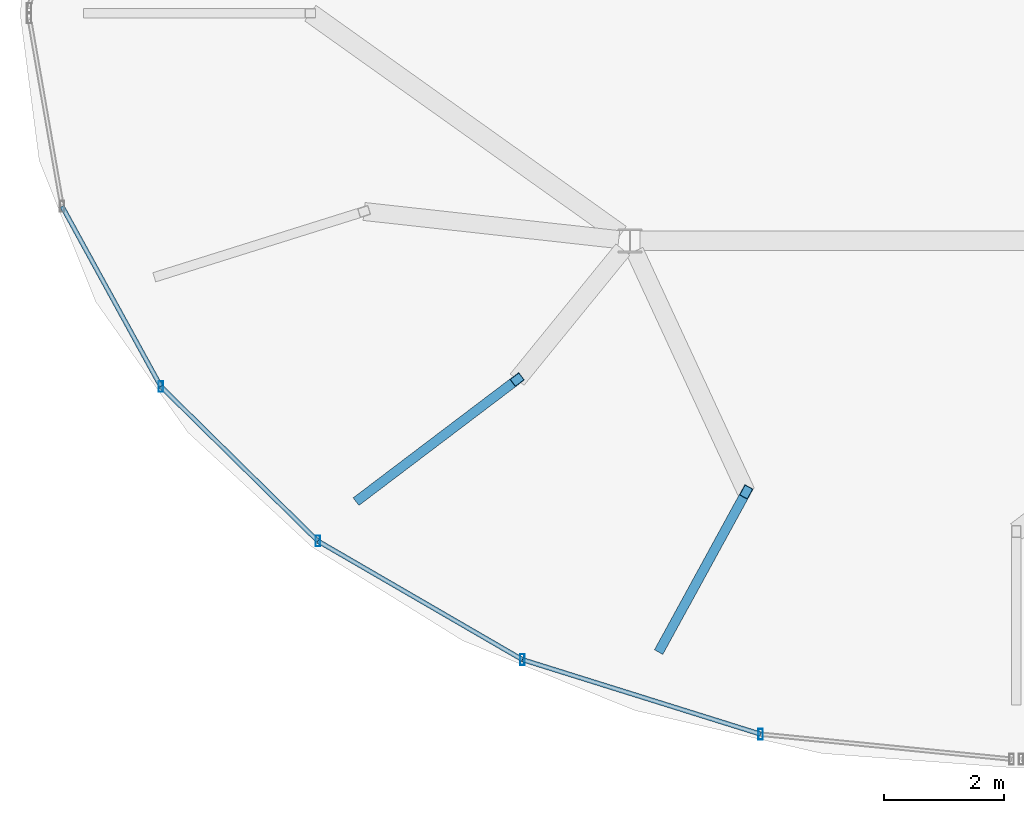
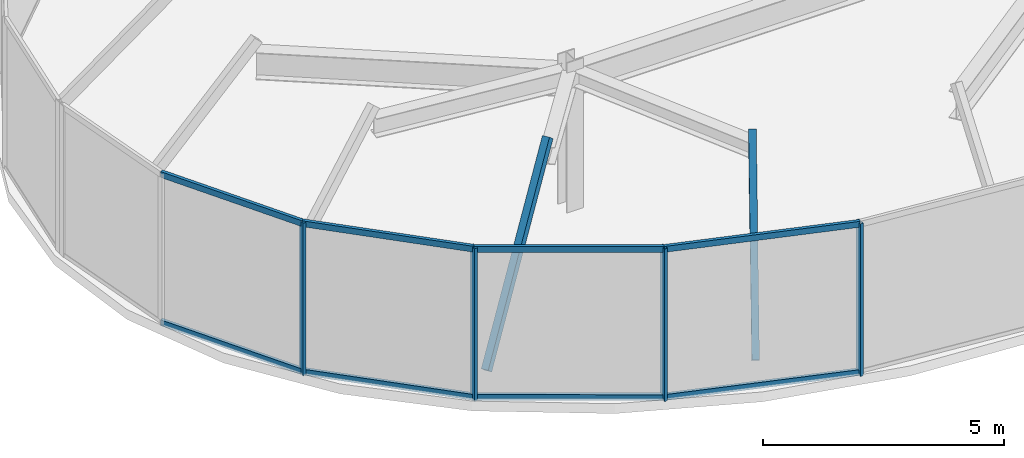
# One storey, part 2 of 13: 14 members, 1 element without a shape of its own.
"""IFC4 building model written with IfcOpenShell, lengths in metres."""

from ifc_helpers import new_model, si_unit, direction, frame, origin, origin_2d, place, context, subcontext, project, spatial, hollow_rectangle, extrude, material, material_profile, profile_set, type_object, element, aggregate, save


model = new_model("IFC4")

# Units and contexts
model_context = context("Model", 3, precision=1e-05, world=origin(), true_north=direction((0.0, 1.0)))
body_context = subcontext(model_context, "Body", "Model", "MODEL_VIEW")
ifc_project = project(units=[si_unit("LENGTHUNIT", "METRE"), si_unit("AREAUNIT", "SQUARE_METRE"), si_unit("VOLUMEUNIT", "CUBIC_METRE"), si_unit("PLANEANGLEUNIT", "RADIAN"), si_unit("MASSUNIT", "GRAM", prefix="KILO")], contexts=[model_context])

# Site, building, storey
site_placement = place(None, origin())
site = spatial("IfcSite", under=ifc_project, at=site_placement, CompositionType="ELEMENT")
building_placement = place(site_placement, origin())
building = spatial("IfcBuilding", under=site, at=building_placement, Name="Vorneva Point Tower", CompositionType="ELEMENT")
storey_placement = place(building_placement, frame((0.0, 0.0, 303.0)))
storey = spatial("IfcBuildingStorey", under=building, at=storey_placement, Name="C03", CompositionType="ELEMENT", Elevation=303.0)

# Curtain wall, members
ifc_material_1 = material(Name="Pale anodised aluminium", Category="aluminium")
curtain_wall_type = type_object("IfcCurtainWallType", Name="CW-CRN-SYS", PredefinedType="NOTDEFINED", material=ifc_material_1)
curtain_wall_placement = place(storey_placement, origin())
curtain_wall = element("IfcCurtainWall", 1, at=curtain_wall_placement, inside=storey, type_object=curtain_wall_type, Name="C03 Unitised Curtain Wall CW-C03-Q3", PredefinedType="NOTDEFINED")
ifc_material_profile_1 = material_profile(ifc_material_1, hollow_rectangle(XDim=0.074951171875, YDim=0.179931640625, WallThickness=0.00390625, at=origin_2d()), Name="AL-MUL 180x75x4")
ifc_profile_set_1 = profile_set([ifc_material_profile_1], Name="Pale anodised aluminium")
member_type_1 = type_object("IfcMemberType", Name="CW-MUL-180", PredefinedType="MULLION", material=ifc_profile_set_1)
member_1_placement = place(storey_placement, frame((23.717529296875, 19.77001953125, -0.0400390625), z_axis=(0.0, 0.0, 1.0), x_axis=(1.0, 0.0, 0.0)))
member_1 = element("IfcMember", 2, at=member_1_placement, type_object=member_type_1, Name="CW-C03-Q3 Mullion 03", PredefinedType="MULLION", context=body_context, shape_type="SweptSolid", body=[
    extrude(hollow_rectangle(XDim=0.074951171875, YDim=0.179931640625, WallThickness=0.00390625, at=origin_2d()), origin(), (0.0, 0.0, 1.0), 3.8701171875),
])
member_2_placement = place(storey_placement, frame((26.33837890625, 17.189453125, -0.0400390625), z_axis=(0.0, 0.0, 1.0), x_axis=(1.0, 0.0, 0.0)))
member_2 = element("IfcMember", 3, at=member_2_placement, type_object=member_type_1, Name="CW-C03-Q3 Mullion 04", PredefinedType="MULLION", context=body_context, shape_type="SweptSolid", body=[
    extrude(hollow_rectangle(XDim=0.074951171875, YDim=0.179931640625, WallThickness=0.00390625, at=origin_2d()), origin(), (0.0, 0.0, 1.0), 3.8701171875),
])
member_3_placement = place(storey_placement, frame((29.75390625, 15.209228515625, -0.0400390625), z_axis=(0.0, 0.0, 1.0), x_axis=(1.0, 0.0, 0.0)))
member_3 = element("IfcMember", 4, at=member_3_placement, type_object=member_type_1, Name="CW-C03-Q3 Mullion 05", PredefinedType="MULLION", context=body_context, shape_type="SweptSolid", body=[
    extrude(hollow_rectangle(XDim=0.074951171875, YDim=0.179931640625, WallThickness=0.00390625, at=origin_2d()), origin(), (0.0, 0.0, 1.0), 3.8701171875),
])
member_4_placement = place(storey_placement, frame((33.731689453125, 13.964599609375, -0.0400390625), z_axis=(0.0, 0.0, 1.0), x_axis=(1.0, 0.0, 0.0)))
member_4 = element("IfcMember", 5, at=member_4_placement, type_object=member_type_1, Name="CW-C03-Q3 Mullion 06", PredefinedType="MULLION", context=body_context, shape_type="SweptSolid", body=[
    extrude(hollow_rectangle(XDim=0.074951171875, YDim=0.179931640625, WallThickness=0.00390625, at=origin_2d()), origin(), (0.0, 0.0, 1.0), 3.8701171875),
])
ifc_material_profile_2 = material_profile(ifc_material_1, hollow_rectangle(XDim=0.074951171875, YDim=0.14990234375, WallThickness=0.00390625, at=origin_2d()), Name="AL-TRN 150x75x4")
ifc_profile_set_2 = profile_set([ifc_material_profile_2], Name="Pale anodised aluminium")
member_type_2 = type_object("IfcMemberType", Name="CW-TRN-150", PredefinedType="USERDEFINED", material=ifc_profile_set_2)
member_5_placement = place(storey_placement, frame((22.070068359375, 22.775146484375, 0.02001953125), z_axis=(0.480717770532, -0.876875376034, 0.0), x_axis=(0.876875376034, 0.480717770532, 0.0)))
member_5 = element("IfcMember", 6, at=member_5_placement, type_object=member_type_2, Name="CW-C03-Q3 Transom 02.1", ObjectType="TRANSOM", PredefinedType="USERDEFINED", context=body_context, shape_type="SweptSolid", body=[
    extrude(hollow_rectangle(XDim=0.074951171875, YDim=0.14990234375, WallThickness=0.00390625, at=origin_2d()), origin(), (0.0, 0.0, 1.0), 3.427001953125),
])
member_6_placement = place(storey_placement, frame((22.070068359375, 22.775146484375, 3.780029296875), z_axis=(0.480717770532, -0.876875376034, 0.0), x_axis=(0.876875376034, 0.480717770532, 0.0)))
member_6 = element("IfcMember", 7, at=member_6_placement, type_object=member_type_2, Name="CW-C03-Q3 Transom 02.2", ObjectType="TRANSOM", PredefinedType="USERDEFINED", context=body_context, shape_type="SweptSolid", body=[
    extrude(hollow_rectangle(XDim=0.074951171875, YDim=0.14990234375, WallThickness=0.00390625, at=origin_2d()), origin(), (0.0, 0.0, 1.0), 3.427001953125),
])
member_7_placement = place(storey_placement, frame((23.717529296875, 19.77001953125, 0.02001953125), z_axis=(0.712561714087, -0.70160943809, 0.0), x_axis=(0.70160943809, 0.712561714087, 0.0)))
member_7 = element("IfcMember", 8, at=member_7_placement, type_object=member_type_2, Name="CW-C03-Q3 Transom 03.1", ObjectType="TRANSOM", PredefinedType="USERDEFINED", context=body_context, shape_type="SweptSolid", body=[
    extrude(hollow_rectangle(XDim=0.074951171875, YDim=0.14990234375, WallThickness=0.00390625, at=origin_2d()), origin(), (0.0, 0.0, 1.0), 3.677978515625),
])
member_8_placement = place(storey_placement, frame((23.717529296875, 19.77001953125, 3.780029296875), z_axis=(0.712561714087, -0.70160943809, 0.0), x_axis=(0.70160943809, 0.712561714087, 0.0)))
member_8 = element("IfcMember", 9, at=member_8_placement, type_object=member_type_2, Name="CW-C03-Q3 Transom 03.2", ObjectType="TRANSOM", PredefinedType="USERDEFINED", context=body_context, shape_type="SweptSolid", body=[
    extrude(hollow_rectangle(XDim=0.074951171875, YDim=0.14990234375, WallThickness=0.00390625, at=origin_2d()), origin(), (0.0, 0.0, 1.0), 3.677978515625),
])
member_9_placement = place(storey_placement, frame((26.33837890625, 17.189453125, 0.02001953125), z_axis=(0.8651170579, -0.501570011196, 0.0), x_axis=(0.501570011196, 0.8651170579, 0.0)))
member_9 = element("IfcMember", 10, at=member_9_placement, type_object=member_type_2, Name="CW-C03-Q3 Transom 04.1", ObjectType="TRANSOM", PredefinedType="USERDEFINED", context=body_context, shape_type="SweptSolid", body=[
    extrude(hollow_rectangle(XDim=0.074951171875, YDim=0.14990234375, WallThickness=0.00390625, at=origin_2d()), origin(), (0.0, 0.0, 1.0), 3.947998046875),
])
member_10_placement = place(storey_placement, frame((26.33837890625, 17.189453125, 3.780029296875), z_axis=(0.8651170579, -0.501570011196, 0.0), x_axis=(0.501570011196, 0.8651170579, 0.0)))
member_10 = element("IfcMember", 11, at=member_10_placement, type_object=member_type_2, Name="CW-C03-Q3 Transom 04.2", ObjectType="TRANSOM", PredefinedType="USERDEFINED", context=body_context, shape_type="SweptSolid", body=[
    extrude(hollow_rectangle(XDim=0.074951171875, YDim=0.14990234375, WallThickness=0.00390625, at=origin_2d()), origin(), (0.0, 0.0, 1.0), 3.947998046875),
])
member_11_placement = place(storey_placement, frame((29.75390625, 15.209228515625, 0.02001953125), z_axis=(0.954372562321, -0.298618506273, 0.0), x_axis=(0.298618506273, 0.954372562321, 0.0)))
member_11 = element("IfcMember", 12, at=member_11_placement, type_object=member_type_2, Name="CW-C03-Q3 Transom 05.1", ObjectType="TRANSOM", PredefinedType="USERDEFINED", context=body_context, shape_type="SweptSolid", body=[
    extrude(hollow_rectangle(XDim=0.074951171875, YDim=0.14990234375, WallThickness=0.00390625, at=origin_2d()), origin(), (0.0, 0.0, 1.0), 4.16796875),
])
member_12_placement = place(storey_placement, frame((29.75390625, 15.209228515625, 3.780029296875), z_axis=(0.954372562321, -0.298618506273, 0.0), x_axis=(0.298618506273, 0.954372562321, 0.0)))
member_12 = element("IfcMember", 13, at=member_12_placement, type_object=member_type_2, Name="CW-C03-Q3 Transom 05.2", ObjectType="TRANSOM", PredefinedType="USERDEFINED", context=body_context, shape_type="SweptSolid", body=[
    extrude(hollow_rectangle(XDim=0.074951171875, YDim=0.14990234375, WallThickness=0.00390625, at=origin_2d()), origin(), (0.0, 0.0, 1.0), 4.16796875),
])
aggregate(curtain_wall, [member_1, member_2, member_3, member_4, member_5, member_6, member_7, member_8, member_9, member_10, member_11, member_12])

# Members
ifc_material_2 = material(Name="Steel S355", Category="steel")
ifc_material_profile_3 = material_profile(ifc_material_2, hollow_rectangle(XDim=0.159912109375, YDim=0.25, WallThickness=0.010009765625, at=origin_2d()), Name="PP 250x160x10")
ifc_profile_set_3 = profile_set([ifc_material_profile_3], Name="Steel S355")
member_type_3 = type_object("IfcMemberType", Name="MBR-CRN-PP250", PredefinedType="CHORD", material=ifc_profile_set_3)
member_13_placement = place(storey_placement, frame((27.052490234375, 17.903564453125, 0.0), z_axis=(0.52071755645, 0.39449036738, 0.757119922106), x_axis=(-0.603864855873, 0.797086717893, 0.0)))
element("IfcMember", 14, at=member_13_placement, inside=storey, type_object=member_type_3, Name="Crown Tapered Frame Rib C03-11", PredefinedType="CHORD", context=body_context, shape_type="SweptSolid", body=[
    extrude(hollow_rectangle(XDim=0.159912109375, YDim=0.25, WallThickness=0.010009765625, at=origin_2d()), origin(), (0.0, 0.0, 1.0), 5.01904296875),
])
member_14_placement = place(storey_placement, frame((32.0751953125, 15.421630859375, 0.0), z_axis=(0.29411027843, 0.537814704862, 0.790097770757), x_axis=(-0.877376041832, 0.479803377666, 0.0)))
element("IfcMember", 15, at=member_14_placement, inside=storey, type_object=member_type_3, Name="Crown Tapered Frame Rib C03-12", PredefinedType="CHORD", context=body_context, shape_type="SweptSolid", body=[
    extrude(hollow_rectangle(XDim=0.159912109375, YDim=0.25, WallThickness=0.010009765625, at=origin_2d()), origin(), (0.0, 0.0, 1.0), 4.8095703125),
])

save(model, "model.ifc")
